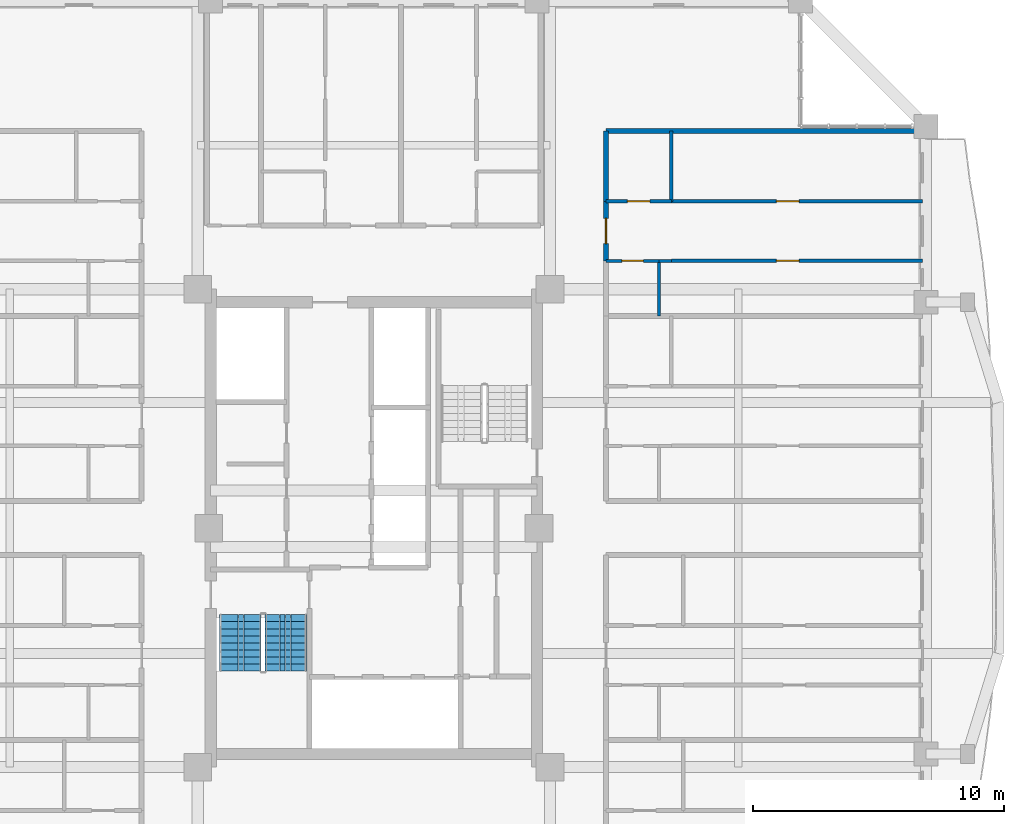
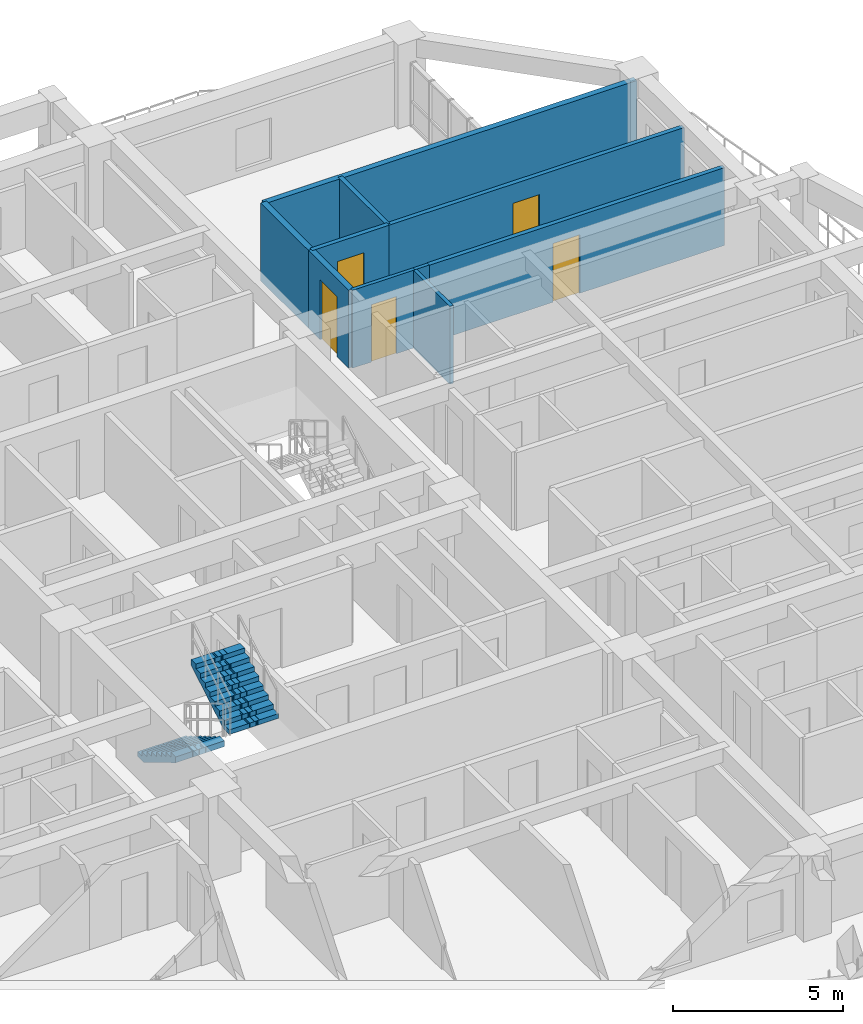
# One storey, part 17 of 23: 10 walls, 5 doors, 2 stair flights, 5 openings, 1 element without a shape of its own.
"""IFC4 building model written with IfcOpenShell, lengths in metres."""

from ifc_helpers import new_model, si_unit, direction, frame, frame_2d, origin, place, context, subcontext, project, spatial, polyline, rectangle, outline, extrude, source, transform, mapped, material, layer, layer_set, type_object, element, fill, aggregate, save


model = new_model("IFC4")

# Units and contexts
model_context = context("Model", 3, precision=1e-05, world=origin(), true_north=direction((0.0, 1.0)))
body_context = subcontext(model_context, "Body", "Model", "MODEL_VIEW")
ifc_project = project(units=[si_unit("LENGTHUNIT", "METRE"), si_unit("AREAUNIT", "SQUARE_METRE"), si_unit("VOLUMEUNIT", "CUBIC_METRE"), si_unit("PLANEANGLEUNIT", "RADIAN"), si_unit("MASSUNIT", "GRAM", prefix="KILO")], contexts=[model_context])

# Site, building, storey
site_placement = place(None, origin())
site = spatial("IfcSite", under=ifc_project, at=site_placement, CompositionType="ELEMENT")
building_placement = place(site_placement, origin())
building = spatial("IfcBuilding", under=site, at=building_placement, Name="Saelheon Loggia Tower", CompositionType="ELEMENT")
storey_placement = place(building_placement, frame((0.0, 0.0, 156.10009765625)))
storey = spatial("IfcBuildingStorey", under=building, at=storey_placement, Name="L49", CompositionType="ELEMENT", Elevation=156.10009765625)

# Wall
ifc_material_1 = material(Name="Lightweight Autoclaved Aerated Concrete Block and Acoustic Gypsum", Category="concrete")
ifc_layer_1 = layer(ifc_material_1, 0.14990234375)
ifc_layer_set_1 = layer_set([ifc_layer_1], Name="Lightweight Autoclaved Aerated Concrete Block and Acoustic Gypsum")
wall_type_1 = type_object("IfcWallType", Name="Wall_Part_150", PredefinedType="PARTITIONING", material=ifc_layer_set_1)
wall_1_placement = place(storey_placement, frame((49.85009765625, 40.019287109375, 0.0), z_axis=(0.0, 0.0, 1.0), x_axis=(0.0, 1.0, 0.0)))
element("IfcWall", 1, at=wall_1_placement, inside=storey, type_object=wall_type_1, Name="L49 EN Partition V18", PredefinedType="PARTITIONING", context=body_context, shape_type="SweptSolid", body=[
    extrude(rectangle(XDim=2.80078125, YDim=0.14990234375, at=frame_2d((1.400390625, 0.0))), origin(), (0.0, 0.0, 1.0), 2.789794921875),
])

# Wall, opening, door
wall_2_placement = place(storey_placement, frame((49.85009765625, 37.64990234375, 0.0), z_axis=(0.0, 0.0, 1.0), x_axis=(1.0, 0.0, 0.0)))
wall_2 = element("IfcWall", 2, at=wall_2_placement, inside=storey, type_object=wall_type_1, Name="L49 EN Partition U21", PredefinedType="PARTITIONING", context=body_context, shape_type="SweptSolid", body=[
    extrude(rectangle(XDim=10.0, YDim=0.14990234375, at=frame_2d((5.0, 0.0))), origin(), (0.0, 0.0, 1.0), 2.789794921875),
])
opening_1_placement = place(wall_2_placement, frame((4.19091796875, 0.0, 0.0)))
opening_1 = element("IfcOpeningElement", 3, at=opening_1_placement, cuts=wall_2, Name="Opening D-IN2", PredefinedType="OPENING", context=body_context, shape_type="SweptSolid", body=[
    extrude(rectangle(XDim=0.89990234375, YDim=2.10009765625, at=frame_2d((0.449951171875, 1.050048828125))), frame((0.0, 0.0869140625, 0.0), z_axis=(0.0, -1.0, 0.0), x_axis=(1.0, 0.0, 0.0)), (0.0, 0.0, 1.0), 0.173828125),
])
ifc_material_2 = material(Name="Engineered Oak Flush Door", Category="timber")
door_type_1 = type_object("IfcDoorType", Name="Door_Int_900", OperationType="NOTDEFINED", PredefinedType="DOOR", material=ifc_material_2)
shared_shape_1 = source(origin(), body_context, "Body", "SweptSolid", [
    extrude(rectangle(XDim=0.89990234375, YDim=2.10009765625, at=frame_2d((0.449951171875, 1.050048828125))), frame((0.0, 0.02490234375, 0.0), z_axis=(0.0, -1.0, 0.0), x_axis=(1.0, 0.0, 0.0)), (0.0, 0.0, 1.0), 0.050048828125),
])
door_1_placement = place(opening_1_placement, origin())
door_1 = element("IfcDoor", 4, at=door_1_placement, inside=storey, type_object=door_type_1, Name="Unit U12 Kitchen Door", OperationType="SINGLE_SWING_RIGHT", OverallHeight=2.10009765625, OverallWidth=0.89990234375, PredefinedType="DOOR", context=body_context, shape_type="MappedRepresentation", body=[
    mapped(shared_shape_1, transform((0.0, 0.0, 0.0), scale=1.0)),
])
fill(opening_1, door_1)

wall_3_placement = place(storey_placement, frame((47.25, 40.019287109375, 0.0), z_axis=(0.0, 0.0, 1.0), x_axis=(1.0, 0.0, 0.0)))
wall_3 = element("IfcWall", 5, at=wall_3_placement, inside=storey, type_object=wall_type_1, Name="L49 EN Partition U22", PredefinedType="PARTITIONING", context=body_context, shape_type="SweptSolid", body=[
    extrude(rectangle(XDim=2.60009765625, YDim=0.14990234375, at=frame_2d((1.300048828125, 0.0))), origin(), (0.0, 0.0, 1.0), 2.789794921875),
])
opening_2_placement = place(wall_3_placement, frame((0.85009765625, 0.0, 0.0)))
opening_2 = element("IfcOpeningElement", 6, at=opening_2_placement, cuts=wall_3, Name="Opening D-IN2", PredefinedType="OPENING", context=body_context, shape_type="SweptSolid", body=[
    extrude(rectangle(XDim=0.89990234375, YDim=2.10009765625, at=frame_2d((0.449951171875, 1.050048828125))), frame((0.0, 0.0869140625, 0.0), z_axis=(0.0, -1.0, 0.0), x_axis=(1.0, 0.0, 0.0)), (0.0, 0.0, 1.0), 0.173828125),
])
door_2_placement = place(opening_2_placement, origin())
door_2 = element("IfcDoor", 7, at=door_2_placement, inside=storey, type_object=door_type_1, Name="Unit U12 Dressing Closet Door", OperationType="SINGLE_SWING_LEFT", OverallHeight=2.10009765625, OverallWidth=0.89990234375, PredefinedType="DOOR", context=body_context, shape_type="MappedRepresentation", body=[
    mapped(shared_shape_1, transform((0.0, 0.0, 0.0), scale=1.0)),
])
fill(opening_2, door_2)

wall_4_placement = place(storey_placement, frame((49.85009765625, 40.019287109375, 0.0), z_axis=(0.0, 0.0, 1.0), x_axis=(1.0, 0.0, 0.0)))
wall_4 = element("IfcWall", 8, at=wall_4_placement, inside=storey, type_object=wall_type_1, Name="L49 EN Partition U23", PredefinedType="PARTITIONING", context=body_context, shape_type="SweptSolid", body=[
    extrude(rectangle(XDim=10.0, YDim=0.14990234375, at=frame_2d((5.0, 0.0))), origin(), (0.0, 0.0, 1.0), 2.789794921875),
])
opening_3_placement = place(wall_4_placement, frame((4.19091796875, 0.0, 0.0)))
opening_3 = element("IfcOpeningElement", 9, at=opening_3_placement, cuts=wall_4, Name="Opening D-IN2", PredefinedType="OPENING", context=body_context, shape_type="SweptSolid", body=[
    extrude(rectangle(XDim=0.89990234375, YDim=2.10009765625, at=frame_2d((0.449951171875, 1.050048828125))), frame((0.0, 0.0869140625, 0.0), z_axis=(0.0, -1.0, 0.0), x_axis=(1.0, 0.0, 0.0)), (0.0, 0.0, 1.0), 0.173828125),
])
door_3_placement = place(opening_3_placement, origin())
door_3 = element("IfcDoor", 10, at=door_3_placement, inside=storey, type_object=door_type_1, Name="Unit U12 Bedroom 1 Door", OperationType="SINGLE_SWING_RIGHT", OverallHeight=2.10009765625, OverallWidth=0.89990234375, PredefinedType="DOOR", context=body_context, shape_type="MappedRepresentation", body=[
    mapped(shared_shape_1, transform((0.0, 0.0, 0.0), scale=1.0)),
])
fill(opening_3, door_3)

# Wall
ifc_material_3 = material(Name="Double Acoustic Stud and Fireboard Partition", Category="gypsum")
ifc_layer_2 = layer(ifc_material_3, 0.199951171875)
ifc_layer_set_2 = layer_set([ifc_layer_2], Name="Double Acoustic Stud and Fireboard Partition")
wall_type_2 = type_object("IfcWallType", Name="Wall_Party_200", PredefinedType="PARTITIONING", material=ifc_layer_set_2)
wall_5_placement = place(storey_placement, frame((47.25, 42.820068359375, 0.0), z_axis=(0.0, 0.0, 1.0), x_axis=(1.0, 0.0, 0.0)))
element("IfcWall", 11, at=wall_5_placement, inside=storey, type_object=wall_type_2, Name="L49 EN Partition U02", PredefinedType="PARTITIONING", context=body_context, shape_type="SweptSolid", body=[
    extrude(rectangle(XDim=12.60009765625, YDim=0.199951171875, at=frame_2d((6.300048828125, 0.0))), origin(), (0.0, 0.0, 1.0), 2.789794921875),
])

# Wall, opening, door
wall_6_placement = place(storey_placement, frame((47.25, 37.64990234375, 0.0), z_axis=(0.0, 0.0, 1.0), x_axis=(0.0, 1.0, 0.0)))
wall_6 = element("IfcWall", 12, at=wall_6_placement, inside=storey, type_object=wall_type_2, Name="L49 EN Partition V15", PredefinedType="PARTITIONING", context=body_context, shape_type="SweptSolid", body=[
    extrude(rectangle(XDim=2.369384765625, YDim=0.199951171875, at=frame_2d((1.1845703125, 0.0))), origin(), (0.0, 0.0, 1.0), 2.789794921875),
])
opening_4_placement = place(wall_6_placement, frame((0.684814453125, 0.0, 0.0)))
opening_4 = element("IfcOpeningElement", 13, at=opening_4_placement, cuts=wall_6, Name="Opening D-FD1", PredefinedType="OPENING", context=body_context, shape_type="SweptSolid", body=[
    extrude(rectangle(XDim=1.0, YDim=2.14990234375, at=frame_2d((0.5, 1.074951171875))), frame((0.0, 0.112060546875, 0.0), z_axis=(0.0, -1.0, 0.0), x_axis=(1.0, 0.0, 0.0)), (0.0, 0.0, 1.0), 0.223876953125),
])
ifc_material_4 = material(Name="Fire-Rated Engineered Timber Entrance Door", Category="wood")
door_type_2 = type_object("IfcDoorType", Name="Door_Flat_FD30S", OperationType="NOTDEFINED", PredefinedType="DOOR", material=ifc_material_4)
shared_shape_2 = source(origin(), body_context, "Body", "SweptSolid", [
    extrude(rectangle(XDim=1.0, YDim=2.14990234375, at=frame_2d((0.5, 1.074951171875))), frame((0.0, 0.02490234375, 0.0), z_axis=(0.0, -1.0, 0.0), x_axis=(1.0, 0.0, 0.0)), (0.0, 0.0, 1.0), 0.050048828125),
])
door_4_placement = place(opening_4_placement, origin())
door_4 = element("IfcDoor", 14, at=door_4_placement, inside=storey, type_object=door_type_2, Name="Unit U12 Entrance Door", OperationType="SINGLE_SWING_RIGHT", OverallHeight=2.14990234375, OverallWidth=1.0, PredefinedType="DOOR", context=body_context, shape_type="MappedRepresentation", body=[
    mapped(shared_shape_2, transform((0.0, 0.0, 0.0), scale=1.0)),
])
fill(opening_4, door_4)

# Walls
wall_7_placement = place(storey_placement, frame((47.25, 40.019287109375, 0.0), z_axis=(0.0, 0.0, 1.0), x_axis=(0.0, 1.0, 0.0)))
element("IfcWall", 15, at=wall_7_placement, inside=storey, type_object=wall_type_2, Name="L49 EN Partition V16", PredefinedType="PARTITIONING", context=body_context, shape_type="SweptSolid", body=[
    extrude(rectangle(XDim=2.80078125, YDim=0.199951171875, at=frame_2d((1.400390625, 0.0))), origin(), (0.0, 0.0, 1.0), 2.789794921875),
])
ifc_material_5 = material(Name="Moisture-Resistant Cement Board Partition", Category="gypsum")
ifc_layer_3 = layer(ifc_material_5, 0.1201171875)
ifc_layer_set_3 = layer_set([ifc_layer_3], Name="Moisture-Resistant Cement Board Partition")
wall_type_3 = type_object("IfcWallType", Name="Wall_WetPart_120", PredefinedType="PARTITIONING", material=ifc_layer_set_3)
wall_8_placement = place(storey_placement, frame((49.3701171875, 35.449951171875, 0.0), z_axis=(0.0, 0.0, 1.0), x_axis=(0.0, 1.0, 0.0)))
element("IfcWall", 16, at=wall_8_placement, inside=storey, type_object=wall_type_3, Name="L49 EN Partition V17", PredefinedType="PARTITIONING", context=body_context, shape_type="SweptSolid", body=[
    extrude(rectangle(XDim=2.199951171875, YDim=0.1201171875, at=frame_2d((1.10009765625, 0.0))), origin(), (0.0, 0.0, 1.0), 2.789794921875),
])

# Wall, opening, door
wall_9_placement = place(storey_placement, frame((47.25, 37.64990234375, 0.0), z_axis=(0.0, 0.0, 1.0), x_axis=(1.0, 0.0, 0.0)))
wall_9 = element("IfcWall", 17, at=wall_9_placement, inside=storey, type_object=wall_type_3, Name="L49 EN Partition U19", PredefinedType="PARTITIONING", context=body_context, shape_type="SweptSolid", body=[
    extrude(rectangle(XDim=2.1201171875, YDim=0.1201171875, at=frame_2d((1.06005859375, 0.0))), origin(), (0.0, 0.0, 1.0), 2.789794921875),
])
opening_5_placement = place(wall_9_placement, frame((0.635009765625, 0.0, 0.0)))
opening_5 = element("IfcOpeningElement", 18, at=opening_5_placement, cuts=wall_9, Name="Opening D-BT1", PredefinedType="OPENING", context=body_context, shape_type="SweptSolid", body=[
    extrude(rectangle(XDim=0.85009765625, YDim=2.050048828125, at=frame_2d((0.425048828125, 1.02490234375))), frame((0.0, 0.072021484375, 0.0), z_axis=(0.0, -1.0, 0.0), x_axis=(1.0, 0.0, 0.0)), (0.0, 0.0, 1.0), 0.14404296875),
])
ifc_material_6 = material(Name="Moisture-Resistant Laminate Timber Door", Category="wood")
door_type_3 = type_object("IfcDoorType", Name="Door_Bath_850", OperationType="NOTDEFINED", PredefinedType="DOOR", material=ifc_material_6)
shared_shape_3 = source(origin(), body_context, "Body", "SweptSolid", [
    extrude(rectangle(XDim=0.85009765625, YDim=2.050048828125, at=frame_2d((0.425048828125, 1.02490234375))), frame((0.0, 0.02490234375, 0.0), z_axis=(0.0, -1.0, 0.0), x_axis=(1.0, 0.0, 0.0)), (0.0, 0.0, 1.0), 0.050048828125),
])
door_5_placement = place(opening_5_placement, origin())
door_5 = element("IfcDoor", 19, at=door_5_placement, inside=storey, type_object=door_type_3, Name="Unit U12 Bathroom Door", OperationType="SINGLE_SWING_LEFT", OverallHeight=2.050048828125, OverallWidth=0.85009765625, PredefinedType="DOOR", context=body_context, shape_type="MappedRepresentation", body=[
    mapped(shared_shape_3, transform((0.0, 0.0, 0.0), scale=1.0)),
])
fill(opening_5, door_5)

# Wall
wall_10_placement = place(storey_placement, frame((49.3701171875, 37.64990234375, 0.0), z_axis=(0.0, 0.0, 1.0), x_axis=(1.0, 0.0, 0.0)))
element("IfcWall", 20, at=wall_10_placement, inside=storey, type_object=wall_type_3, Name="L49 EN Partition U20", PredefinedType="PARTITIONING", context=body_context, shape_type="SweptSolid", body=[
    extrude(rectangle(XDim=0.47998046875, YDim=0.1201171875, at=frame_2d((0.239990234375, 0.0))), origin(), (0.0, 0.0, 1.0), 2.789794921875),
])

# Stair, stair flights
ifc_material_7 = material(Name="Concrete C40/50", Category="concrete")
stair_type = type_object("IfcStairType", Name="Stair_Escape_Core", PredefinedType="HALF_TURN_STAIR", material=ifc_material_7)
stair_placement = place(storey_placement, origin())
stair = element("IfcStair", 21, at=stair_placement, inside=storey, type_object=stair_type, Name="L49 Special Escape Stair ST1", PredefinedType="HALF_TURN_STAIR")
stair_flight_type = type_object("IfcStairFlightType", Name="StairFlight_Tower_1660", PredefinedType="STRAIGHT", material=ifc_material_7)
stair_flight_1_placement = place(storey_placement, frame((32.679931640625, 23.550048828125, 0.0), z_axis=(0.0, 0.0, 1.0), x_axis=(0.0, -1.0, 0.0)))
stair_flight_1 = element("IfcStairFlight", 22, at=stair_flight_1_placement, type_object=stair_flight_type, Name="ST1 flight 1", NumberOfRisers=9, NumberOfTreads=8, PredefinedType="STRAIGHT", RiserHeight=0.166666667, TreadLength=0.28, context=body_context, shape_type="SweptSolid", body=[
    extrude(outline(polyline([(0.0, 0.0), (0.0, 0.166748046875), (0.280029296875, 0.166748046875), (0.280029296875, 0.333251953125), (0.56005859375, 0.333251953125), (0.56005859375, 0.5), (0.840087890625, 0.5), (0.840087890625, 0.666748046875), (1.1201171875, 0.666748046875), (1.1201171875, 0.833251953125), (1.39990234375, 0.833251953125), (1.39990234375, 1.0), (1.679931640625, 1.0), (1.679931640625, 1.166748046875), (1.9599609375, 1.166748046875), (1.9599609375, 1.333251953125), (2.239990234375, 1.333251953125), (2.239990234375, 1.5), (2.239990234375, 1.1240234375), (0.351806640625, 0.0), (0.0, 0.0)])), frame((0.0, -0.2490234375, 0.0), z_axis=(0.0, -1.0, 0.0), x_axis=(1.0, 0.0, 0.0)), (0.0, 0.0, 1.0), 0.5810546875),
    extrude(outline(polyline([(0.0, 0.0), (0.0, 0.166748046875), (0.280029296875, 0.166748046875), (0.280029296875, 0.333251953125), (0.56005859375, 0.333251953125), (0.56005859375, 0.5), (0.840087890625, 0.5), (0.840087890625, 0.666748046875), (1.1201171875, 0.666748046875), (1.1201171875, 0.833251953125), (1.39990234375, 0.833251953125), (1.39990234375, 1.0), (1.679931640625, 1.0), (1.679931640625, 1.166748046875), (1.9599609375, 1.166748046875), (1.9599609375, 1.333251953125), (2.239990234375, 1.333251953125), (2.239990234375, 1.5), (2.239990234375, 1.1240234375), (0.351806640625, 0.0), (0.0, 0.0)])), frame((0.0, -0.194091796875, 0.0), z_axis=(0.0, -1.0, 0.0), x_axis=(1.0, 0.0, 0.0)), (0.0, 0.0, 1.0), 0.0498046875),
    extrude(outline(polyline([(0.0, 0.0), (0.0, 0.166748046875), (0.280029296875, 0.166748046875), (0.280029296875, 0.333251953125), (0.56005859375, 0.333251953125), (0.56005859375, 0.5), (0.840087890625, 0.5), (0.840087890625, 0.666748046875), (1.1201171875, 0.666748046875), (1.1201171875, 0.833251953125), (1.39990234375, 0.833251953125), (1.39990234375, 1.0), (1.679931640625, 1.0), (1.679931640625, 1.166748046875), (1.9599609375, 1.166748046875), (1.9599609375, 1.333251953125), (2.239990234375, 1.333251953125), (2.239990234375, 1.5), (2.239990234375, 1.1240234375), (0.351806640625, 0.0), (0.0, 0.0)])), frame((0.0, -0.139404296875, 0.0), z_axis=(0.0, -1.0, 0.0), x_axis=(1.0, 0.0, 0.0)), (0.0, 0.0, 1.0), 0.0498046875),
    extrude(outline(polyline([(0.0, 0.0), (0.0, 0.166748046875), (0.280029296875, 0.166748046875), (0.280029296875, 0.333251953125), (0.56005859375, 0.333251953125), (0.56005859375, 0.5), (0.840087890625, 0.5), (0.840087890625, 0.666748046875), (1.1201171875, 0.666748046875), (1.1201171875, 0.833251953125), (1.39990234375, 0.833251953125), (1.39990234375, 1.0), (1.679931640625, 1.0), (1.679931640625, 1.166748046875), (1.9599609375, 1.166748046875), (1.9599609375, 1.333251953125), (2.239990234375, 1.333251953125), (2.239990234375, 1.5), (2.239990234375, 1.1240234375), (0.351806640625, 0.0), (0.0, 0.0)])), frame((0.0, -0.084716796875, 0.0), z_axis=(0.0, -1.0, 0.0), x_axis=(1.0, 0.0, 0.0)), (0.0, 0.0, 1.0), 0.0498046875),
    extrude(outline(polyline([(0.0, 0.0), (0.0, 0.166748046875), (0.280029296875, 0.166748046875), (0.280029296875, 0.333251953125), (0.56005859375, 0.333251953125), (0.56005859375, 0.5), (0.840087890625, 0.5), (0.840087890625, 0.666748046875), (1.1201171875, 0.666748046875), (1.1201171875, 0.833251953125), (1.39990234375, 0.833251953125), (1.39990234375, 1.0), (1.679931640625, 1.0), (1.679931640625, 1.166748046875), (1.9599609375, 1.166748046875), (1.9599609375, 1.333251953125), (2.239990234375, 1.333251953125), (2.239990234375, 1.5), (2.239990234375, 1.1240234375), (0.351806640625, 0.0), (0.0, 0.0)])), frame((0.0, -0.02978515625, 0.0), z_axis=(0.0, -1.0, 0.0), x_axis=(1.0, 0.0, 0.0)), (0.0, 0.0, 1.0), 0.0498046875),
    extrude(outline(polyline([(0.0, 0.0), (0.0, 0.166748046875), (0.280029296875, 0.166748046875), (0.280029296875, 0.333251953125), (0.56005859375, 0.333251953125), (0.56005859375, 0.5), (0.840087890625, 0.5), (0.840087890625, 0.666748046875), (1.1201171875, 0.666748046875), (1.1201171875, 0.833251953125), (1.39990234375, 0.833251953125), (1.39990234375, 1.0), (1.679931640625, 1.0), (1.679931640625, 1.166748046875), (1.9599609375, 1.166748046875), (1.9599609375, 1.333251953125), (2.239990234375, 1.333251953125), (2.239990234375, 1.5), (2.239990234375, 1.1240234375), (0.351806640625, 0.0), (0.0, 0.0)])), frame((0.0, 0.02490234375, 0.0), z_axis=(0.0, -1.0, 0.0), x_axis=(1.0, 0.0, 0.0)), (0.0, 0.0, 1.0), 0.0498046875),
    extrude(outline(polyline([(0.0, 0.0), (0.0, 0.166748046875), (0.280029296875, 0.166748046875), (0.280029296875, 0.333251953125), (0.56005859375, 0.333251953125), (0.56005859375, 0.5), (0.840087890625, 0.5), (0.840087890625, 0.666748046875), (1.1201171875, 0.666748046875), (1.1201171875, 0.833251953125), (1.39990234375, 0.833251953125), (1.39990234375, 1.0), (1.679931640625, 1.0), (1.679931640625, 1.166748046875), (1.9599609375, 1.166748046875), (1.9599609375, 1.333251953125), (2.239990234375, 1.333251953125), (2.239990234375, 1.5), (2.239990234375, 1.1240234375), (0.351806640625, 0.0), (0.0, 0.0)])), frame((0.0, 0.07958984375, 0.0), z_axis=(0.0, -1.0, 0.0), x_axis=(1.0, 0.0, 0.0)), (0.0, 0.0, 1.0), 0.0498046875),
    extrude(outline(polyline([(0.0, 0.0), (0.0, 0.166748046875), (0.280029296875, 0.166748046875), (0.280029296875, 0.333251953125), (0.56005859375, 0.333251953125), (0.56005859375, 0.5), (0.840087890625, 0.5), (0.840087890625, 0.666748046875), (1.1201171875, 0.666748046875), (1.1201171875, 0.833251953125), (1.39990234375, 0.833251953125), (1.39990234375, 1.0), (1.679931640625, 1.0), (1.679931640625, 1.166748046875), (1.9599609375, 1.166748046875), (1.9599609375, 1.333251953125), (2.239990234375, 1.333251953125), (2.239990234375, 1.5), (2.239990234375, 1.1240234375), (0.351806640625, 0.0), (0.0, 0.0)])), frame((0.0, 0.134521484375, 0.0), z_axis=(0.0, -1.0, 0.0), x_axis=(1.0, 0.0, 0.0)), (0.0, 0.0, 1.0), 0.0498046875),
    extrude(outline(polyline([(0.0, 0.0), (0.0, 0.166748046875), (0.280029296875, 0.166748046875), (0.280029296875, 0.333251953125), (0.56005859375, 0.333251953125), (0.56005859375, 0.5), (0.840087890625, 0.5), (0.840087890625, 0.666748046875), (1.1201171875, 0.666748046875), (1.1201171875, 0.833251953125), (1.39990234375, 0.833251953125), (1.39990234375, 1.0), (1.679931640625, 1.0), (1.679931640625, 1.166748046875), (1.9599609375, 1.166748046875), (1.9599609375, 1.333251953125), (2.239990234375, 1.333251953125), (2.239990234375, 1.5), (2.239990234375, 1.1240234375), (0.351806640625, 0.0), (0.0, 0.0)])), frame((0.0, 0.189208984375, 0.0), z_axis=(0.0, -1.0, 0.0), x_axis=(1.0, 0.0, 0.0)), (0.0, 0.0, 1.0), 0.0498046875),
    extrude(outline(polyline([(0.0, 0.0), (0.0, 0.166748046875), (0.280029296875, 0.166748046875), (0.280029296875, 0.333251953125), (0.56005859375, 0.333251953125), (0.56005859375, 0.5), (0.840087890625, 0.5), (0.840087890625, 0.666748046875), (1.1201171875, 0.666748046875), (1.1201171875, 0.833251953125), (1.39990234375, 0.833251953125), (1.39990234375, 1.0), (1.679931640625, 1.0), (1.679931640625, 1.166748046875), (1.9599609375, 1.166748046875), (1.9599609375, 1.333251953125), (2.239990234375, 1.333251953125), (2.239990234375, 1.5), (2.239990234375, 1.1240234375), (0.351806640625, 0.0), (0.0, 0.0)])), frame((0.0, 0.243896484375, 0.0), z_axis=(0.0, -1.0, 0.0), x_axis=(1.0, 0.0, 0.0)), (0.0, 0.0, 1.0), 0.0498046875),
    extrude(outline(polyline([(0.0, 0.0), (0.0, 0.166748046875), (0.280029296875, 0.166748046875), (0.280029296875, 0.333251953125), (0.56005859375, 0.333251953125), (0.56005859375, 0.5), (0.840087890625, 0.5), (0.840087890625, 0.666748046875), (1.1201171875, 0.666748046875), (1.1201171875, 0.833251953125), (1.39990234375, 0.833251953125), (1.39990234375, 1.0), (1.679931640625, 1.0), (1.679931640625, 1.166748046875), (1.9599609375, 1.166748046875), (1.9599609375, 1.333251953125), (2.239990234375, 1.333251953125), (2.239990234375, 1.5), (2.239990234375, 1.1240234375), (0.351806640625, 0.0), (0.0, 0.0)])), frame((0.0, 0.830078125, 0.0), z_axis=(0.0, -1.0, 0.0), x_axis=(1.0, 0.0, 0.0)), (0.0, 0.0, 1.0), 0.5810546875),
])
stair_flight_2_placement = place(storey_placement, frame((34.5, 21.31005859375, 1.5), z_axis=(0.0, 0.0, 1.0), x_axis=(0.0, 1.0, 0.0)))
stair_flight_2 = element("IfcStairFlight", 23, at=stair_flight_2_placement, type_object=stair_flight_type, Name="ST1 flight 2", NumberOfRisers=9, NumberOfTreads=8, PredefinedType="STRAIGHT", RiserHeight=0.166666667, TreadLength=0.28, context=body_context, shape_type="SweptSolid", body=[
    extrude(outline(polyline([(0.0, 0.0), (0.0, 0.166748046875), (0.280029296875, 0.166748046875), (0.280029296875, 0.333251953125), (0.56005859375, 0.333251953125), (0.56005859375, 0.5), (0.840087890625, 0.5), (0.840087890625, 0.666748046875), (1.1201171875, 0.666748046875), (1.1201171875, 0.833251953125), (1.39990234375, 0.833251953125), (1.39990234375, 1.0), (1.679931640625, 1.0), (1.679931640625, 1.166748046875), (1.9599609375, 1.166748046875), (1.9599609375, 1.333251953125), (2.239990234375, 1.333251953125), (2.239990234375, 1.5), (2.239990234375, 1.1240234375), (0.351806640625, 0.0), (0.0, 0.0)])), frame((0.0, -0.2490234375, 0.0), z_axis=(0.0, -1.0, 0.0), x_axis=(1.0, 0.0, 0.0)), (0.0, 0.0, 1.0), 0.5810546875),
    extrude(outline(polyline([(0.0, 0.0), (0.0, 0.166748046875), (0.280029296875, 0.166748046875), (0.280029296875, 0.333251953125), (0.56005859375, 0.333251953125), (0.56005859375, 0.5), (0.840087890625, 0.5), (0.840087890625, 0.666748046875), (1.1201171875, 0.666748046875), (1.1201171875, 0.833251953125), (1.39990234375, 0.833251953125), (1.39990234375, 1.0), (1.679931640625, 1.0), (1.679931640625, 1.166748046875), (1.9599609375, 1.166748046875), (1.9599609375, 1.333251953125), (2.239990234375, 1.333251953125), (2.239990234375, 1.5), (2.239990234375, 1.1240234375), (0.351806640625, 0.0), (0.0, 0.0)])), frame((0.0, -0.194091796875, 0.0), z_axis=(0.0, -1.0, 0.0), x_axis=(1.0, 0.0, 0.0)), (0.0, 0.0, 1.0), 0.0498046875),
    extrude(outline(polyline([(0.0, 0.0), (0.0, 0.166748046875), (0.280029296875, 0.166748046875), (0.280029296875, 0.333251953125), (0.56005859375, 0.333251953125), (0.56005859375, 0.5), (0.840087890625, 0.5), (0.840087890625, 0.666748046875), (1.1201171875, 0.666748046875), (1.1201171875, 0.833251953125), (1.39990234375, 0.833251953125), (1.39990234375, 1.0), (1.679931640625, 1.0), (1.679931640625, 1.166748046875), (1.9599609375, 1.166748046875), (1.9599609375, 1.333251953125), (2.239990234375, 1.333251953125), (2.239990234375, 1.5), (2.239990234375, 1.1240234375), (0.351806640625, 0.0), (0.0, 0.0)])), frame((0.0, -0.139404296875, 0.0), z_axis=(0.0, -1.0, 0.0), x_axis=(1.0, 0.0, 0.0)), (0.0, 0.0, 1.0), 0.0498046875),
    extrude(outline(polyline([(0.0, 0.0), (0.0, 0.166748046875), (0.280029296875, 0.166748046875), (0.280029296875, 0.333251953125), (0.56005859375, 0.333251953125), (0.56005859375, 0.5), (0.840087890625, 0.5), (0.840087890625, 0.666748046875), (1.1201171875, 0.666748046875), (1.1201171875, 0.833251953125), (1.39990234375, 0.833251953125), (1.39990234375, 1.0), (1.679931640625, 1.0), (1.679931640625, 1.166748046875), (1.9599609375, 1.166748046875), (1.9599609375, 1.333251953125), (2.239990234375, 1.333251953125), (2.239990234375, 1.5), (2.239990234375, 1.1240234375), (0.351806640625, 0.0), (0.0, 0.0)])), frame((0.0, -0.084716796875, 0.0), z_axis=(0.0, -1.0, 0.0), x_axis=(1.0, 0.0, 0.0)), (0.0, 0.0, 1.0), 0.0498046875),
    extrude(outline(polyline([(0.0, 0.0), (0.0, 0.166748046875), (0.280029296875, 0.166748046875), (0.280029296875, 0.333251953125), (0.56005859375, 0.333251953125), (0.56005859375, 0.5), (0.840087890625, 0.5), (0.840087890625, 0.666748046875), (1.1201171875, 0.666748046875), (1.1201171875, 0.833251953125), (1.39990234375, 0.833251953125), (1.39990234375, 1.0), (1.679931640625, 1.0), (1.679931640625, 1.166748046875), (1.9599609375, 1.166748046875), (1.9599609375, 1.333251953125), (2.239990234375, 1.333251953125), (2.239990234375, 1.5), (2.239990234375, 1.1240234375), (0.351806640625, 0.0), (0.0, 0.0)])), frame((0.0, -0.02978515625, 0.0), z_axis=(0.0, -1.0, 0.0), x_axis=(1.0, 0.0, 0.0)), (0.0, 0.0, 1.0), 0.0498046875),
    extrude(outline(polyline([(0.0, 0.0), (0.0, 0.166748046875), (0.280029296875, 0.166748046875), (0.280029296875, 0.333251953125), (0.56005859375, 0.333251953125), (0.56005859375, 0.5), (0.840087890625, 0.5), (0.840087890625, 0.666748046875), (1.1201171875, 0.666748046875), (1.1201171875, 0.833251953125), (1.39990234375, 0.833251953125), (1.39990234375, 1.0), (1.679931640625, 1.0), (1.679931640625, 1.166748046875), (1.9599609375, 1.166748046875), (1.9599609375, 1.333251953125), (2.239990234375, 1.333251953125), (2.239990234375, 1.5), (2.239990234375, 1.1240234375), (0.351806640625, 0.0), (0.0, 0.0)])), frame((0.0, 0.02490234375, 0.0), z_axis=(0.0, -1.0, 0.0), x_axis=(1.0, 0.0, 0.0)), (0.0, 0.0, 1.0), 0.0498046875),
    extrude(outline(polyline([(0.0, 0.0), (0.0, 0.166748046875), (0.280029296875, 0.166748046875), (0.280029296875, 0.333251953125), (0.56005859375, 0.333251953125), (0.56005859375, 0.5), (0.840087890625, 0.5), (0.840087890625, 0.666748046875), (1.1201171875, 0.666748046875), (1.1201171875, 0.833251953125), (1.39990234375, 0.833251953125), (1.39990234375, 1.0), (1.679931640625, 1.0), (1.679931640625, 1.166748046875), (1.9599609375, 1.166748046875), (1.9599609375, 1.333251953125), (2.239990234375, 1.333251953125), (2.239990234375, 1.5), (2.239990234375, 1.1240234375), (0.351806640625, 0.0), (0.0, 0.0)])), frame((0.0, 0.07958984375, 0.0), z_axis=(0.0, -1.0, 0.0), x_axis=(1.0, 0.0, 0.0)), (0.0, 0.0, 1.0), 0.0498046875),
    extrude(outline(polyline([(0.0, 0.0), (0.0, 0.166748046875), (0.280029296875, 0.166748046875), (0.280029296875, 0.333251953125), (0.56005859375, 0.333251953125), (0.56005859375, 0.5), (0.840087890625, 0.5), (0.840087890625, 0.666748046875), (1.1201171875, 0.666748046875), (1.1201171875, 0.833251953125), (1.39990234375, 0.833251953125), (1.39990234375, 1.0), (1.679931640625, 1.0), (1.679931640625, 1.166748046875), (1.9599609375, 1.166748046875), (1.9599609375, 1.333251953125), (2.239990234375, 1.333251953125), (2.239990234375, 1.5), (2.239990234375, 1.1240234375), (0.351806640625, 0.0), (0.0, 0.0)])), frame((0.0, 0.134521484375, 0.0), z_axis=(0.0, -1.0, 0.0), x_axis=(1.0, 0.0, 0.0)), (0.0, 0.0, 1.0), 0.0498046875),
    extrude(outline(polyline([(0.0, 0.0), (0.0, 0.166748046875), (0.280029296875, 0.166748046875), (0.280029296875, 0.333251953125), (0.56005859375, 0.333251953125), (0.56005859375, 0.5), (0.840087890625, 0.5), (0.840087890625, 0.666748046875), (1.1201171875, 0.666748046875), (1.1201171875, 0.833251953125), (1.39990234375, 0.833251953125), (1.39990234375, 1.0), (1.679931640625, 1.0), (1.679931640625, 1.166748046875), (1.9599609375, 1.166748046875), (1.9599609375, 1.333251953125), (2.239990234375, 1.333251953125), (2.239990234375, 1.5), (2.239990234375, 1.1240234375), (0.351806640625, 0.0), (0.0, 0.0)])), frame((0.0, 0.189208984375, 0.0), z_axis=(0.0, -1.0, 0.0), x_axis=(1.0, 0.0, 0.0)), (0.0, 0.0, 1.0), 0.0498046875),
    extrude(outline(polyline([(0.0, 0.0), (0.0, 0.166748046875), (0.280029296875, 0.166748046875), (0.280029296875, 0.333251953125), (0.56005859375, 0.333251953125), (0.56005859375, 0.5), (0.840087890625, 0.5), (0.840087890625, 0.666748046875), (1.1201171875, 0.666748046875), (1.1201171875, 0.833251953125), (1.39990234375, 0.833251953125), (1.39990234375, 1.0), (1.679931640625, 1.0), (1.679931640625, 1.166748046875), (1.9599609375, 1.166748046875), (1.9599609375, 1.333251953125), (2.239990234375, 1.333251953125), (2.239990234375, 1.5), (2.239990234375, 1.1240234375), (0.351806640625, 0.0), (0.0, 0.0)])), frame((0.0, 0.243896484375, 0.0), z_axis=(0.0, -1.0, 0.0), x_axis=(1.0, 0.0, 0.0)), (0.0, 0.0, 1.0), 0.0498046875),
    extrude(outline(polyline([(0.0, 0.0), (0.0, 0.166748046875), (0.280029296875, 0.166748046875), (0.280029296875, 0.333251953125), (0.56005859375, 0.333251953125), (0.56005859375, 0.5), (0.840087890625, 0.5), (0.840087890625, 0.666748046875), (1.1201171875, 0.666748046875), (1.1201171875, 0.833251953125), (1.39990234375, 0.833251953125), (1.39990234375, 1.0), (1.679931640625, 1.0), (1.679931640625, 1.166748046875), (1.9599609375, 1.166748046875), (1.9599609375, 1.333251953125), (2.239990234375, 1.333251953125), (2.239990234375, 1.5), (2.239990234375, 1.1240234375), (0.351806640625, 0.0), (0.0, 0.0)])), frame((0.0, 0.830078125, 0.0), z_axis=(0.0, -1.0, 0.0), x_axis=(1.0, 0.0, 0.0)), (0.0, 0.0, 1.0), 0.5810546875),
])
aggregate(stair, [stair_flight_1, stair_flight_2])

save(model, "model.ifc")
